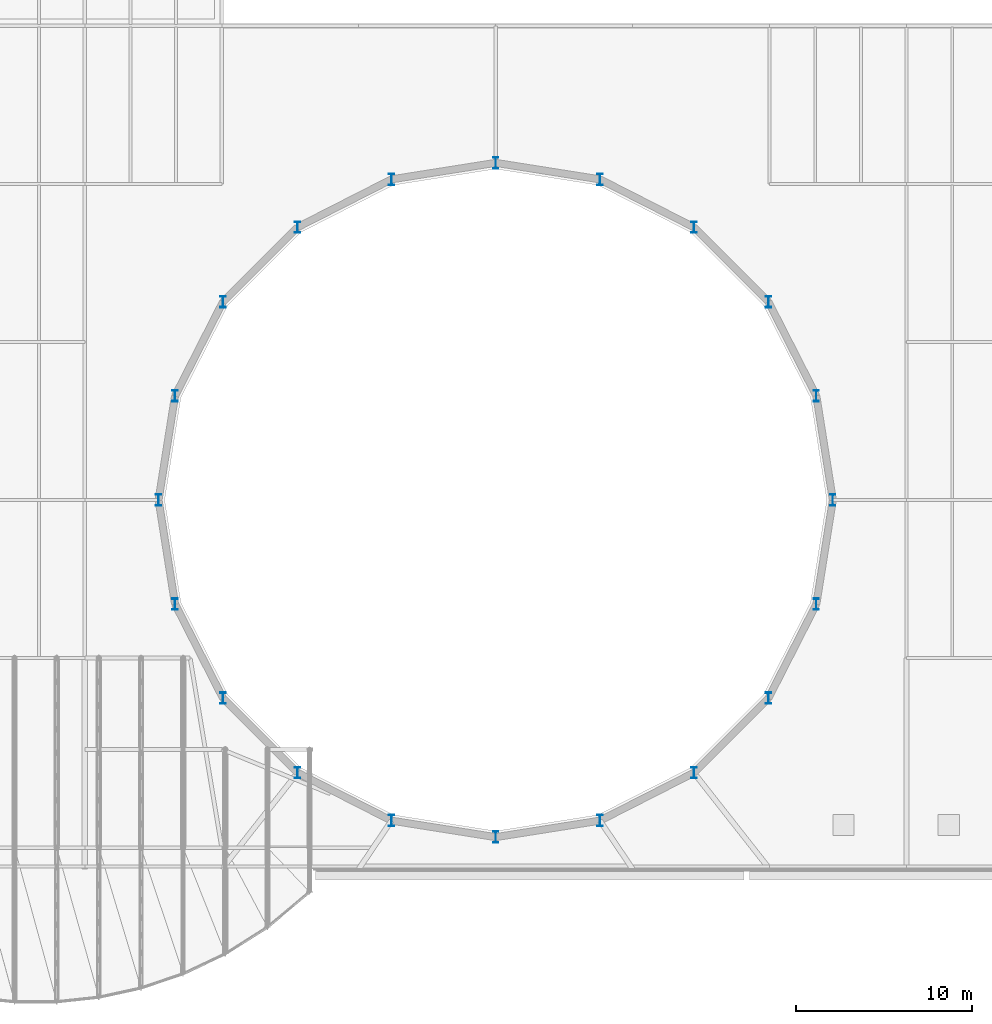
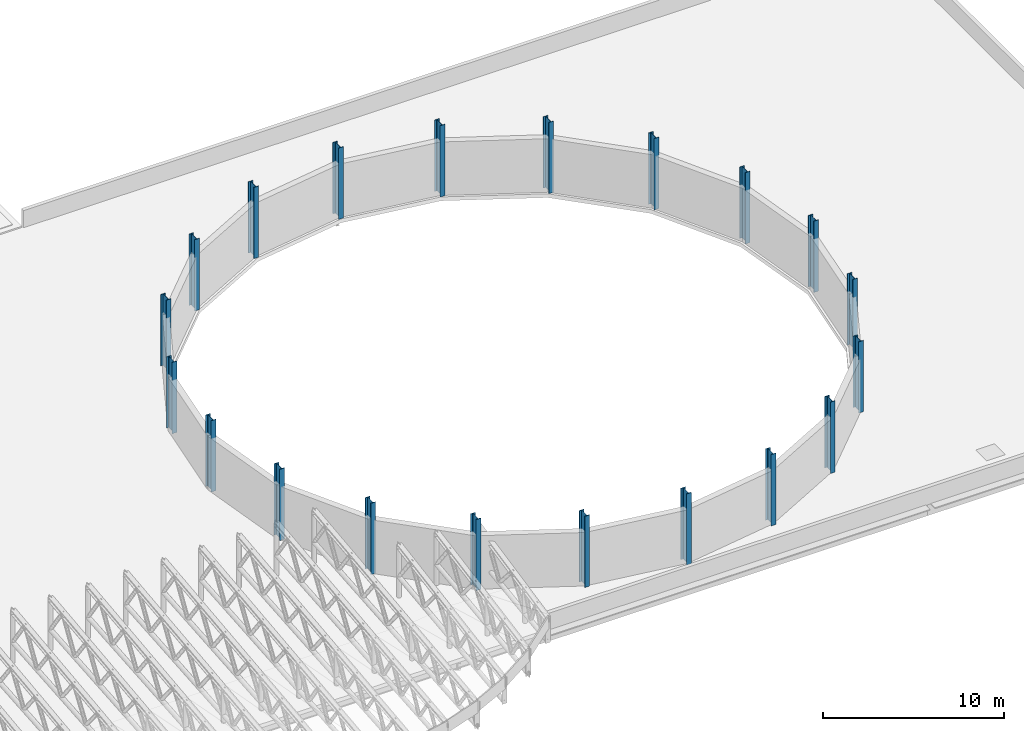
# One storey, part 1 of 58: 20 columns.
"""IFC4 building model written with IfcOpenShell, lengths in metres."""

import ifcopenshell
import ifcopenshell.guid

model = None  # the IFC model being written
_history = None  # IfcOwnerHistory: only IFC2X3 demands one
_inside = {}  # id of a spatial element -> (the spatial element, [elements in it])
_under = {}  # id of a project, library or spatial element -> (it, [spatial elements below it])
_declared = {}  # id of a project -> (the project, [libraries it declares])
_typed = {}  # id of a type object -> (the type object, [elements of that type])
_made_of = {}  # id of a material, layer set ... -> (it, [elements and type objects made of it])


def new_model(schema):
    """Start an empty IFC model of exactly this schema.

    Asked for "IFC4X3", IfcOpenShell would pick the latest addendum, in which some entities
    have other attributes; the version numbers below select the first issue.
    IFC2X3 requires an IfcOwnerHistory on every rooted entity: one is made here for all.
    """
    global model, _history
    if schema == "IFC4X3":
        model = ifcopenshell.file(schema_version=(4, 3, 0, 0))
    else:
        model = ifcopenshell.file(schema=schema)
    _inside.clear()
    _under.clear()
    _declared.clear()
    _typed.clear()
    _made_of.clear()
    _history = None
    if model.schema == "IFC2X3":
        org = make("IfcOrganization", Name="unknown")
        user = make(
            "IfcPersonAndOrganization",
            ThePerson=make("IfcPerson", FamilyName="unknown"),
            TheOrganization=org,
        )
        app = make(
            "IfcApplication",
            ApplicationDeveloper=org,
            Version="unknown",
            ApplicationFullName="unknown",
            ApplicationIdentifier="unknown",
        )
        _history = make(
            "IfcOwnerHistory",
            OwningUser=user,
            OwningApplication=app,
            ChangeAction="ADDED",
            CreationDate=0,
        )
    return model


def make(cls, **values):
    """One entity of the class cls with the attributes given. An attribute that is None is left unset."""
    return model.create_entity(
        cls, **{name: value for name, value in values.items() if value is not None}
    )


def rooted(cls, **values):
    """An entity with a GlobalId (a new one), such as an element, a storey or a relation."""
    return make(cls, GlobalId=ifcopenshell.guid.new(), OwnerHistory=_history, **values)


def si_unit(unit_type, name, prefix=None):
    """IfcSIUnit, for example si_unit("LENGTHUNIT", "METRE", prefix="MILLI")."""
    return make("IfcSIUnit", UnitType=unit_type, Prefix=prefix, Name=name)


def assignment(units):
    """IfcUnitAssignment: the units of a project."""
    return None if units is None else make("IfcUnitAssignment", Units=units)


def point(xyz):
    """IfcCartesianPoint."""
    return None if xyz is None else make("IfcCartesianPoint", Coordinates=xyz)


def direction(xyz):
    """IfcDirection."""
    return None if xyz is None else make("IfcDirection", DirectionRatios=xyz)


def frame(location, z_axis=None, x_axis=None):
    """IfcAxis2Placement3D, a coordinate frame: its origin and axes. An axis left out is left unset."""
    return make(
        "IfcAxis2Placement3D",
        Location=point(location),
        Axis=direction(z_axis),
        RefDirection=direction(x_axis),
    )


def frame_2d(location, x_axis=None):
    """IfcAxis2Placement2D, a coordinate frame in the plane: its origin and x axis."""
    return make(
        "IfcAxis2Placement2D", Location=point(location), RefDirection=direction(x_axis)
    )


def origin():
    """The frame at (0, 0, 0) with its axes left unset."""
    return frame((0.0, 0.0, 0.0))


def origin_2d():
    """The frame at (0, 0) in the plane with its x axis left unset."""
    return frame_2d((0.0, 0.0))


def place(relative_to, where):
    """IfcLocalPlacement: puts the frame where relative to a parent placement (None: the world)."""
    return make(
        "IfcLocalPlacement", PlacementRelTo=relative_to, RelativePlacement=where
    )


def context(
    kind, dimensions, precision=None, world=None, true_north=None, identifier=None
):
    """IfcGeometricRepresentationContext, for example the 3D "Model" context."""
    return make(
        "IfcGeometricRepresentationContext",
        ContextIdentifier=identifier,
        ContextType=kind,
        CoordinateSpaceDimension=dimensions,
        Precision=precision,
        WorldCoordinateSystem=world,
        TrueNorth=true_north,
    )


def subcontext(parent, identifier, kind, view, scale=None):
    """IfcGeometricRepresentationSubContext, for example "Body" below "Model"."""
    return make(
        "IfcGeometricRepresentationSubContext",
        ContextIdentifier=identifier,
        ContextType=kind,
        ParentContext=parent,
        TargetScale=scale,
        TargetView=view,
    )


def project(units=None, contexts=None):
    """IfcProject with its units and contexts."""
    return rooted(
        "IfcProject",
        Name="project",
        RepresentationContexts=contexts,
        UnitsInContext=assignment(units),
    )


def spatial(cls, under=None, at=None, **own):
    """A site, building, storey or space (cls), placed at a placement, below another one or the project."""
    s = rooted(cls, ObjectPlacement=at, **own)
    if under is not None:
        _under.setdefault(under.id(), (under, []))[1].append(s)
    return s


def profile(cls, at=None, kind="AREA", **sizes):
    """A parametric profile (cls). Its sizes go by their IFC names, for example OverallWidth=200.0."""
    return make(cls, ProfileType=kind, Position=at, **sizes)


def i_section(**sizes):
    """IfcIShapeProfileDef."""
    return profile("IfcIShapeProfileDef", **sizes)


def extrude(swept, where, along, depth):
    """IfcExtrudedAreaSolid: the profile swept, set in the frame where, extruded along a direction by depth."""
    return make(
        "IfcExtrudedAreaSolid",
        SweptArea=swept,
        Position=where,
        ExtrudedDirection=direction(along),
        Depth=depth,
    )


def shape(context_of_items, identifier, shape_type, items):
    """IfcShapeRepresentation: the items that make up one representation, for example the "Body"."""
    return make(
        "IfcShapeRepresentation",
        ContextOfItems=context_of_items,
        RepresentationIdentifier=identifier,
        RepresentationType=shape_type,
        Items=items,
    )


def material(Name=None, Category=None):
    """IfcMaterial."""
    return make("IfcMaterial", Name=Name, Category=Category)


def material_profile(
    of_material, cross_section, Name=None, Category=None, Priority=None
):
    """IfcMaterialProfile: a cross section and its material."""
    return make(
        "IfcMaterialProfile",
        Name=Name,
        Material=of_material,
        Profile=cross_section,
        Priority=Priority,
        Category=Category,
    )


def profile_set(profiles, Name=None, composite=None):
    """IfcMaterialProfileSet."""
    return make(
        "IfcMaterialProfileSet",
        Name=Name,
        MaterialProfiles=profiles,
        CompositeProfile=composite,
    )


def made_of(thing, what):
    """Note that an element or type object is made of a material, layer set ...; save() writes the relation."""
    if what is not None:
        _made_of.setdefault(what.id(), (what, []))[1].append(thing)
    return thing


def type_object(cls, material=None, **own):
    """A type object (cls), such as IfcWallType, which elements share."""
    return made_of(rooted(cls, **own), material)


def element(
    cls,
    number,
    at=None,
    inside=None,
    cuts=None,
    type_object=None,
    material=None,
    context=None,
    identifier="Body",
    shape_type=None,
    held_by="IfcProductDefinitionShape",
    body=None,
    shapes=None,
    **own,
):
    """One element of the class cls, such as IfcWall. Its Tag is "e" and its number.

    at: its placement. inside: the storey or other place that contains it. cuts: it is an
    opening in that element (IfcRelVoidsElement). A single representation is given by context,
    identifier, shape_type and body (its items); several are given by shapes. held_by: the class
    of the entity that holds the representations. save() writes the other relations.
    """
    e = rooted(cls, Tag="e%d" % number, ObjectPlacement=at, **own)
    if body is not None:
        shapes = [shape(context, identifier, shape_type, body)]
    if shapes is not None:
        e.Representation = make(held_by, Representations=shapes)
    if inside is not None:
        _inside.setdefault(inside.id(), (inside, []))[1].append(e)
    if cuts is not None:
        rooted(
            "IfcRelVoidsElement", RelatingBuildingElement=cuts, RelatedOpeningElement=e
        )
    if type_object is not None:
        _typed.setdefault(type_object.id(), (type_object, []))[1].append(e)
    return made_of(e, material)


def aggregate(whole, parts):
    """IfcRelAggregates: a whole, such as a stair, and the parts it consists of."""
    return rooted("IfcRelAggregates", RelatingObject=whole, RelatedObjects=parts)


def save(model, path):
    """Write the relations noted so far, then the file.

    IfcRelAggregates (storeys below a building ...), IfcRelContainedInSpatialStructure (elements
    in a storey), IfcRelDefinesByType, IfcRelAssociatesMaterial and IfcRelDeclares: one each for
    every whole, place, type object, material and project.
    """
    for whole, parts in _under.values():
        aggregate(whole, parts)
    for where, things in _inside.values():
        rooted(
            "IfcRelContainedInSpatialStructure",
            RelatedElements=things,
            RelatingStructure=where,
        )
    for kind, things in _typed.values():
        rooted("IfcRelDefinesByType", RelatedObjects=things, RelatingType=kind)
    for what, things in _made_of.values():
        rooted("IfcRelAssociatesMaterial", RelatedObjects=things, RelatingMaterial=what)
    for by, libraries in _declared.values():
        rooted("IfcRelDeclares", RelatingContext=by, RelatedDefinitions=libraries)
    model.write(path)


model = new_model("IFC4")

# Units and contexts
model_context = context("Model", 3, precision=1e-05, world=origin(), true_north=direction((0.0, 1.0)))
body_context = subcontext(model_context, "Body", "Model", "MODEL_VIEW")
ifc_project = project(units=[si_unit("LENGTHUNIT", "METRE"), si_unit("AREAUNIT", "SQUARE_METRE"), si_unit("VOLUMEUNIT", "CUBIC_METRE"), si_unit("PLANEANGLEUNIT", "RADIAN"), si_unit("MASSUNIT", "GRAM", prefix="KILO")], contexts=[model_context])

# Site, building, storey
site_placement = place(None, origin())
site = spatial("IfcSite", under=ifc_project, at=site_placement, CompositionType="ELEMENT")
building_placement = place(site_placement, origin())
building = spatial("IfcBuilding", under=site, at=building_placement, Name="Sefraquen Railside Congress Hotel", CompositionType="ELEMENT")
storey_placement = place(building_placement, frame((0.0, 0.0, 16.199951171875)))
storey = spatial("IfcBuildingStorey", under=building, at=storey_placement, Name="L03", CompositionType="ELEMENT", Elevation=16.199951171875)

# Columns
ifc_material = material(Name="Steel S355JR", Category="steel")
ifc_material_profile = material_profile(ifc_material, i_section(OverallWidth=0.300048828125, OverallDepth=0.64990234375, WebThickness=0.01611328125, FlangeThickness=0.031005859375, FilletRadius=0.027099609375, at=origin_2d()), Name="HEB 650")
ifc_profile_set = profile_set([ifc_material_profile], Name="Steel S355JR")
column_type = type_object("IfcColumnType", Name="TC-HEB-650", PredefinedType="COLUMN", material=ifc_profile_set)
for number, where, z_axis, x_axis, name in (
    (1, (83.39990234375, 27.0, 0.0), (0.0, 0.0, 1.0), (1.0, 0.0, 0.0), "Structural column DRM-01 L03"),
    (2, (82.460205078125, 32.93310546875, 0.0), (0.0, 0.0, 1.0), (1.0, 0.0, 0.0), "Structural column DRM-02 L03"),
    (3, (79.733154296875, 38.285400390625, 0.0), (0.0, 0.0, 1.0), (1.0, 0.0, 0.0), "Structural column DRM-03 L03"),
    (4, (75.485595703125, 42.533203125, 0.0), (0.0, 0.0, 1.0), (1.0, 0.0, 0.0), "Structural column DRM-04 L03"),
    (5, (70.133056640625, 45.26025390625, 0.0), (0.0, 0.0, 1.0), (1.0, 0.0, 0.0), "Structural column DRM-05 L03"),
    (6, (64.199951171875, 46.199951171875, 0.0), (0.0, 0.0, 1.0), (1.0, 0.0, 0.0), "Structural column DRM-06 L03"),
    (7, (58.266845703125, 45.26025390625, 0.0), (0.0, 0.0, 1.0), (1.0, 0.0, 0.0), "Structural column DRM-07 L03"),
    (8, (52.91455078125, 42.533203125, 0.0), (0.0, 0.0, 1.0), (1.0, 0.0, 0.0), "Structural column DRM-08 L03"),
    (9, (48.6669921875, 38.285400390625, 0.0), (0.0, 0.0, 1.0), (1.0, 0.0, 0.0), "Structural column DRM-09 L03"),
    (10, (45.939697265625, 32.93310546875, 0.0), (0.0, 0.0, 1.0), (1.0, 0.0, 0.0), "Structural column DRM-10 L03"),
    (11, (45.0, 27.0, 0.0), (0.0, 0.0, 1.0), (1.0, 0.0, 0.0), "Structural column DRM-11 L03"),
    (12, (45.939697265625, 21.06689453125, 0.0), (0.0, 0.0, 1.0), (1.0, 0.0, 0.0), "Structural column DRM-12 L03"),
    (13, (48.6669921875, 15.714599609375, 0.0), (0.0, 0.0, 1.0), (1.0, 0.0, 0.0), "Structural column DRM-13 L03"),
    (14, (52.91455078125, 11.466796875, 0.0), (0.0, 0.0, 1.0), (1.0, 0.0, 0.0), "Structural column DRM-14 L03"),
    (15, (58.266845703125, 8.73974609375, 0.0), (0.0, 0.0, 1.0), (1.0, 0.0, 0.0), "Structural column DRM-15 L03"),
    (16, (64.199951171875, 7.800048828125, 0.0), (0.0, 0.0, 1.0), (1.0, 0.0, 0.0), "Structural column DRM-16 L03"),
    (17, (70.133056640625, 8.73974609375, 0.0), (0.0, 0.0, 1.0), (1.0, 0.0, 0.0), "Structural column DRM-17 L03"),
    (18, (75.485595703125, 11.466796875, 0.0), (0.0, 0.0, 1.0), (1.0, 0.0, 0.0), "Structural column DRM-18 L03"),
    (19, (79.733154296875, 15.714599609375, 0.0), (0.0, 0.0, 1.0), (1.0, 0.0, 0.0), "Structural column DRM-19 L03"),
    (20, (82.460205078125, 21.06689453125, 0.0), (0.0, 0.0, 1.0), (1.0, 0.0, 0.0), "Structural column DRM-20 L03"),
):
    element("IfcColumn", number, at=place(storey_placement, frame(where, z_axis=z_axis, x_axis=x_axis)), inside=storey, type_object=column_type, Name=name, PredefinedType="COLUMN", context=body_context, shape_type="SweptSolid", body=[
        extrude(i_section(OverallWidth=0.300048828125, OverallDepth=0.64990234375, WebThickness=0.01611328125, FlangeThickness=0.031005859375, FilletRadius=0.027099609375, at=origin_2d()), origin(), (0.0, 0.0, 1.0), 4.800048828125),
    ])

save(model, "model.ifc")
